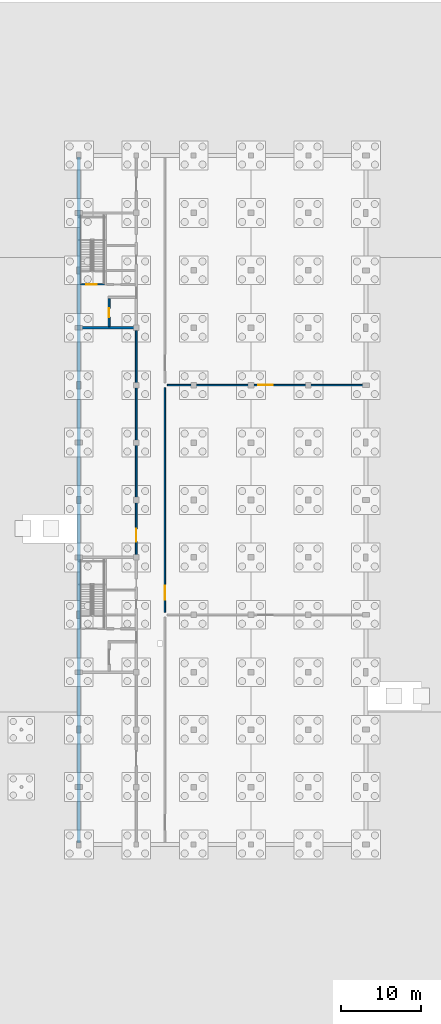
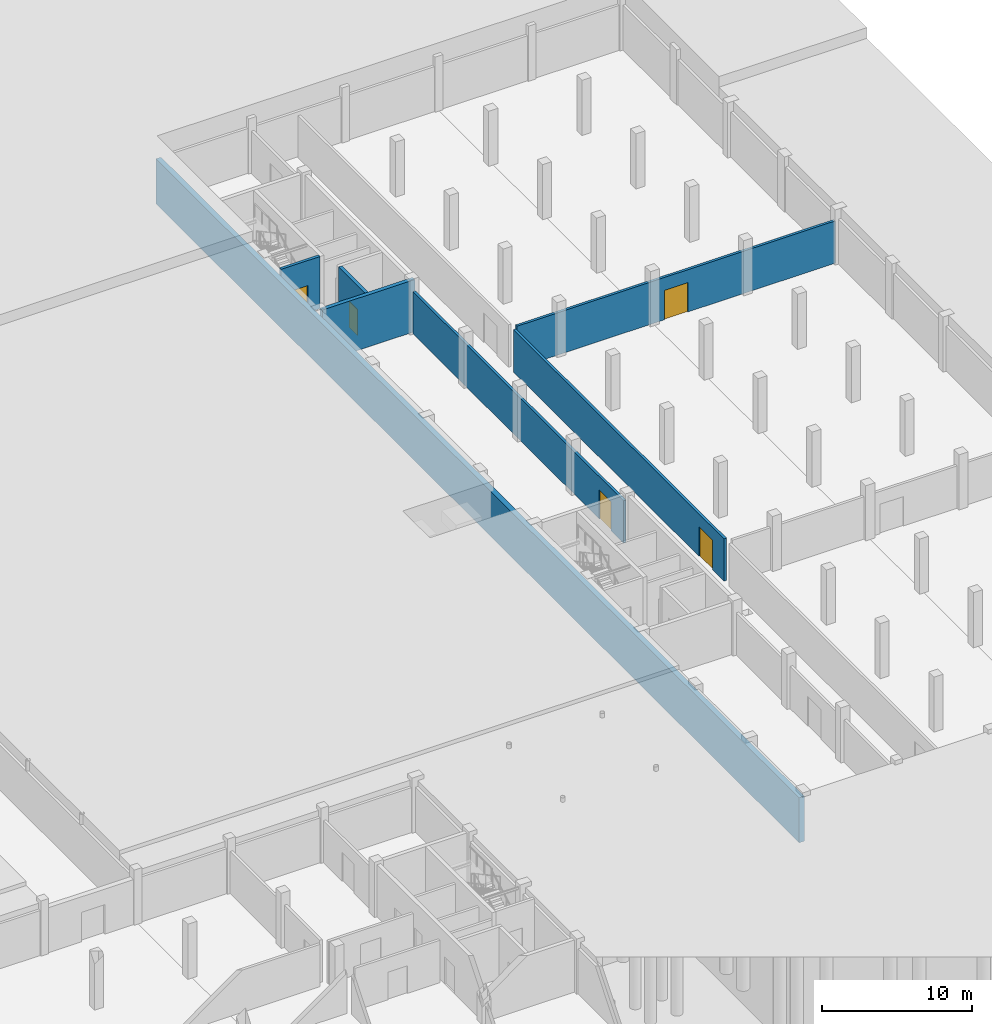
# One storey, part 33 of 51: 7 walls, 5 doors, 5 openings.
"""IFC4 building model written with IfcOpenShell, lengths in metres."""

from ifc_helpers import new_model, si_unit, direction, frame, frame_2d, origin, place, context, subcontext, project, spatial, rectangle, extrude, material, layer, layer_set, type_object, element, fill, save


model = new_model("IFC4")

# Units and contexts
model_context = context("Model", 3, precision=1e-05, world=origin(), true_north=direction((0.0, 1.0)))
body_context = subcontext(model_context, "Body", "Model", "MODEL_VIEW")
ifc_project = project(units=[si_unit("LENGTHUNIT", "METRE"), si_unit("AREAUNIT", "SQUARE_METRE"), si_unit("VOLUMEUNIT", "CUBIC_METRE"), si_unit("PLANEANGLEUNIT", "RADIAN"), si_unit("MASSUNIT", "GRAM", prefix="KILO")], contexts=[model_context])

# Site, building, storey
site_placement = place(None, origin())
site = spatial("IfcSite", under=ifc_project, at=site_placement, CompositionType="ELEMENT")
building_placement = place(site_placement, origin())
building = spatial("IfcBuilding", under=site, at=building_placement, Name="Zlatovets Crest Museum", CompositionType="ELEMENT")
storey_placement = place(building_placement, frame((0.0, 0.0, -4.5)))
storey = spatial("IfcBuildingStorey", under=building, at=storey_placement, Name="B1", CompositionType="ELEMENT", Elevation=-4.5)

# Wall
ifc_material_1 = material(Name="Concrete C35/45", Category="concrete")
ifc_layer_1 = layer(ifc_material_1, 0.300048828125)
ifc_layer_set_1 = layer_set([ifc_layer_1], Name="Concrete C35/45")
wall_type_1 = type_object("IfcWallType", Name="CoreWall_SW01", PredefinedType="SHEAR", material=ifc_layer_set_1)
wall_1_placement = place(storey_placement, frame((129.800048828125, 79.199951171875, 0.0), z_axis=(0.0, 0.0, 1.0), x_axis=(1.0, 0.0, 0.0)))
element("IfcWall", 1, at=wall_1_placement, inside=storey, type_object=wall_type_1, Name="Core C7 B1 South Shear Wall", PredefinedType="SHEAR", context=body_context, shape_type="SweptSolid", body=[
    extrude(rectangle(XDim=7.14990234375, YDim=0.300048828125, at=frame_2d((3.574951171875, 0.0))), origin(), (0.0, 0.0, 1.0), 4.25),
])

# Wall, opening, door
ifc_layer_2 = layer(ifc_material_1, 0.25)
ifc_layer_set_2 = layer_set([ifc_layer_2], Name="Concrete C35/45")
wall_type_2 = type_object("IfcWallType", Name="CoreWall_SW02", PredefinedType="SHEAR", material=ifc_layer_set_2)
wall_2_placement = place(storey_placement, frame((133.39990234375, 79.35009765625, 0.0), z_axis=(0.0, 0.0, 1.0), x_axis=(0.0, 1.0, 0.0)))
wall_2 = element("IfcWall", 2, at=wall_2_placement, inside=storey, type_object=wall_type_2, Name="Core C7 B1 Lift Shaft Wall", PredefinedType="SHEAR", context=body_context, shape_type="SweptSolid", body=[
    extrude(rectangle(XDim=3.52490234375, YDim=0.25, at=frame_2d((1.762451171875, 0.0))), origin(), (0.0, 0.0, 1.0), 4.25),
])
opening_1_placement = place(wall_2_placement, frame((1.199951171875, 0.0, 0.0)))
opening_1 = element("IfcOpeningElement", 3, at=opening_1_placement, cuts=wall_2, Name="Opening LD-01", PredefinedType="OPENING", context=body_context, shape_type="SweptSolid", body=[
    extrude(rectangle(XDim=1.10009765625, YDim=2.14990234375, at=frame_2d((0.550048828125, 1.074951171875))), frame((0.0, 0.135009765625, 0.0), z_axis=(0.0, -1.0, 0.0), x_axis=(1.0, 0.0, 0.0)), (0.0, 0.0, 1.0), 0.27001953125),
])
ifc_material_2 = material(Name="Stainless-bronze sliding lift landing door")
door_type_1 = type_object("IfcDoorType", Name="IntDoor_LD-01", OperationType="SLIDING_TO_LEFT", PredefinedType="DOOR", material=ifc_material_2)
door_1_placement = place(opening_1_placement, origin())
door_1 = element("IfcDoor", 4, at=door_1_placement, inside=storey, type_object=door_type_1, Name="LDOOR-PL4-B1 Lift PL4 B1 Sliding Landing Door", OperationType="SLIDING_TO_LEFT", OverallHeight=2.14990234375, OverallWidth=1.10009765625, PredefinedType="DOOR", context=body_context, shape_type="SweptSolid", body=[
    extrude(rectangle(XDim=1.10009765625, YDim=2.14990234375, at=frame_2d((0.550048828125, 1.074951171875))), frame((0.0, 0.02490234375, 0.0), z_axis=(0.0, -1.0, 0.0), x_axis=(1.0, 0.0, 0.0)), (0.0, 0.0, 1.0), 0.050048828125),
])
fill(opening_1, door_1)

wall_3_placement = place(storey_placement, frame((129.800048828125, 84.64990234375, 0.0), z_axis=(0.0, 0.0, 1.0), x_axis=(1.0, 0.0, 0.0)))
wall_3 = element("IfcWall", 5, at=wall_3_placement, inside=storey, type_object=wall_type_2, Name="Core C7 B1 Stairwell Fire Wall", PredefinedType="SHEAR", context=body_context, shape_type="SweptSolid", body=[
    extrude(rectangle(XDim=3.0, YDim=0.219970703125, at=frame_2d((1.5, 0.0))), origin(), (0.0, 0.0, 1.0), 4.25),
])
opening_2_placement = place(wall_3_placement, frame((0.75, 0.0, 0.0)))
opening_2 = element("IfcOpeningElement", 6, at=opening_2_placement, cuts=wall_3, Name="Opening FD-01", PredefinedType="OPENING", context=body_context, shape_type="SweptSolid", body=[
    extrude(rectangle(XDim=1.300048828125, YDim=2.199951171875, at=frame_2d((0.64990234375, 1.10009765625))), frame((0.0, 0.1201171875, 0.0), z_axis=(0.0, -1.0, 0.0), x_axis=(1.0, 0.0, 0.0)), (0.0, 0.0, 1.0), 0.239990234375),
])
ifc_material_3 = material(Name="Smoke-sealed steel fire door", Category="steel")
door_type_2 = type_object("IfcDoorType", Name="IntDoor_FD-01", OperationType="NOTDEFINED", PredefinedType="DOOR", material=ifc_material_3)
door_2_placement = place(opening_2_placement, origin())
door_2 = element("IfcDoor", 7, at=door_2_placement, inside=storey, type_object=door_type_2, Name="SDOOR-ST8-B1 Stair ST8 B1 Fire Door", OperationType="SINGLE_SWING_LEFT", OverallHeight=2.199951171875, OverallWidth=1.300048828125, PredefinedType="DOOR", context=body_context, shape_type="SweptSolid", body=[
    extrude(rectangle(XDim=1.300048828125, YDim=2.199951171875, at=frame_2d((0.64990234375, 1.10009765625))), frame((0.0, 0.02490234375, 0.0), z_axis=(0.0, -1.0, 0.0), x_axis=(1.0, 0.0, 0.0)), (0.0, 0.0, 1.0), 0.050048828125),
])
fill(opening_2, door_2)

ifc_material_4 = material(Name="Gypsum-encased fire compartment partition")
ifc_layer_3 = layer(ifc_material_4, 0.199951171875)
ifc_layer_set_3 = layer_set([ifc_layer_3], Name="Gypsum-encased fire compartment partition")
wall_type_3 = type_object("IfcWallType", Name="PartWall_PT-01", PredefinedType="PARTITIONING", material=ifc_layer_set_3)
wall_4_placement = place(storey_placement, frame((140.39990234375, 43.52001953125, 0.0), z_axis=(0.0, 0.0, 1.0), x_axis=(0.0, 1.0, 0.0)))
wall_4 = element("IfcWall", 8, at=wall_4_placement, inside=storey, type_object=wall_type_3, Name="V5 B1 Interior Partition PT-01", PredefinedType="PARTITIONING", context=body_context, shape_type="SweptSolid", body=[
    extrude(rectangle(XDim=28.159912109375, YDim=0.199951171875, at=frame_2d((14.080078125, 0.0))), origin(), (0.0, 0.0, 1.0), 3.449951171875),
])
opening_3_placement = place(wall_4_placement, frame((1.548583984375, 0.0, 0.0)))
opening_3 = element("IfcOpeningElement", 9, at=opening_3_placement, cuts=wall_4, Name="Opening FD-04", PredefinedType="OPENING", context=body_context, shape_type="SweptSolid", body=[
    extrude(rectangle(XDim=1.800048828125, YDim=2.39990234375, at=frame_2d((0.89990234375, 1.199951171875))), frame((0.0, 0.10986328125, 0.0), z_axis=(0.0, -1.0, 0.0), x_axis=(1.0, 0.0, 0.0)), (0.0, 0.0, 1.0), 0.219970703125),
])
ifc_material_5 = material(Name="Archive vault heavy fire door")
door_type_3 = type_object("IfcDoorType", Name="IntDoor_FD-04", OperationType="DOUBLE_DOOR_SINGLE_SWING", PredefinedType="DOOR", material=ifc_material_5)
door_3_placement = place(opening_3_placement, origin())
door_3 = element("IfcDoor", 10, at=door_3_placement, inside=storey, type_object=door_type_3, Name="IDOOR-V5-B1-0038 Archive Spine Corridor B1 to Painting and Rack Storage Archive Door", OperationType="DOUBLE_DOOR_SINGLE_SWING", OverallHeight=2.39990234375, OverallWidth=1.800048828125, PredefinedType="DOOR", context=body_context, shape_type="SweptSolid", body=[
    extrude(rectangle(XDim=1.800048828125, YDim=2.39990234375, at=frame_2d((0.89990234375, 1.199951171875))), frame((0.0, 0.02490234375, 0.0), z_axis=(0.0, -1.0, 0.0), x_axis=(1.0, 0.0, 0.0)), (0.0, 0.0, 1.0), 0.050048828125),
])
fill(opening_3, door_3)

wall_5_placement = place(storey_placement, frame((136.800048828125, 50.719970703125, 0.0), z_axis=(0.0, 0.0, 1.0), x_axis=(0.0, 1.0, 0.0)))
wall_5 = element("IfcWall", 11, at=wall_5_placement, inside=storey, type_object=wall_type_3, Name="V5 B1 Interior Partition PT-01", PredefinedType="PARTITIONING", context=body_context, shape_type="SweptSolid", body=[
    extrude(rectangle(XDim=28.159912109375, YDim=0.199951171875, at=frame_2d((14.080078125, 0.0))), origin(), (0.0, 0.0, 1.0), 3.449951171875),
])
opening_4_placement = place(wall_5_placement, frame((1.648681640625, 0.0, 0.0)))
opening_4 = element("IfcOpeningElement", 12, at=opening_4_placement, cuts=wall_5, Name="Opening ID-04", PredefinedType="OPENING", context=body_context, shape_type="SweptSolid", body=[
    extrude(rectangle(XDim=1.60009765625, YDim=2.35009765625, at=frame_2d((0.800048828125, 1.175048828125))), frame((0.0, 0.10986328125, 0.0), z_axis=(0.0, -1.0, 0.0), x_axis=(1.0, 0.0, 0.0)), (0.0, 0.0, 1.0), 0.219970703125),
])
ifc_material_6 = material(Name="Gallery salon double portal door")
door_type_4 = type_object("IfcDoorType", Name="IntDoor_ID-04", OperationType="DOUBLE_DOOR_SINGLE_SWING", PredefinedType="DOOR", material=ifc_material_6)
door_4_placement = place(opening_4_placement, origin())
door_4 = element("IfcDoor", 13, at=door_4_placement, inside=storey, type_object=door_type_4, Name="IDOOR-V5-B1-0040 Archive Spine Corridor B1 to X-Ray and Pigment Analysis Laboratory Door", OperationType="DOUBLE_DOOR_SINGLE_SWING", OverallHeight=2.35009765625, OverallWidth=1.60009765625, PredefinedType="DOOR", context=body_context, shape_type="SweptSolid", body=[
    extrude(rectangle(XDim=1.60009765625, YDim=2.35009765625, at=frame_2d((0.800048828125, 1.175048828125))), frame((0.0, 0.02490234375, 0.0), z_axis=(0.0, -1.0, 0.0), x_axis=(1.0, 0.0, 0.0)), (0.0, 0.0, 1.0), 0.050048828125),
])
fill(opening_4, door_4)

wall_6_placement = place(storey_placement, frame((140.719970703125, 72.0, 0.0), z_axis=(0.0, 0.0, 1.0), x_axis=(1.0, 0.0, 0.0)))
wall_6 = element("IfcWall", 14, at=wall_6_placement, inside=storey, type_object=wall_type_3, Name="V5 B1 Interior Partition PT-01", PredefinedType="PARTITIONING", context=body_context, shape_type="SweptSolid", body=[
    extrude(rectangle(XDim=24.56005859375, YDim=0.199951171875, at=frame_2d((12.280029296875, 0.0))), origin(), (0.0, 0.0, 1.0), 3.449951171875),
])
opening_5_placement = place(wall_6_placement, frame((11.3798828125, 0.0, 0.0)))
opening_5 = element("IfcOpeningElement", 15, at=opening_5_placement, cuts=wall_6, Name="Opening FD-04", PredefinedType="OPENING", context=body_context, shape_type="SweptSolid", body=[
    extrude(rectangle(XDim=1.800048828125, YDim=2.39990234375, at=frame_2d((0.89990234375, 1.199951171875))), frame((0.0, 0.10986328125, 0.0), z_axis=(0.0, -1.0, 0.0), x_axis=(1.0, 0.0, 0.0)), (0.0, 0.0, 1.0), 0.219970703125),
])
door_5_placement = place(opening_5_placement, origin())
door_5 = element("IfcDoor", 16, at=door_5_placement, inside=storey, type_object=door_type_3, Name="IDOOR-V5-B1-0044 Painting and Rack Storage Archive to Cold Photographic Collection Archive Door", OperationType="DOUBLE_DOOR_SINGLE_SWING", OverallHeight=2.39990234375, OverallWidth=1.800048828125, PredefinedType="DOOR", context=body_context, shape_type="SweptSolid", body=[
    extrude(rectangle(XDim=1.800048828125, YDim=2.39990234375, at=frame_2d((0.89990234375, 1.199951171875))), frame((0.0, 0.02490234375, 0.0), z_axis=(0.0, -1.0, 0.0), x_axis=(1.0, 0.0, 0.0)), (0.0, 0.0, 1.0), 0.050048828125),
])
fill(opening_5, door_5)

# Wall
ifc_layer_4 = layer(ifc_material_1, 0.39990234375)
ifc_layer_set_4 = layer_set([ifc_layer_4], Name="Concrete C35/45")
wall_type_4 = type_object("IfcWallType", Name="RetainingWall_RW01", PredefinedType="USERDEFINED", material=ifc_layer_set_4)
wall_7_placement = place(storey_placement, frame((129.60009765625, 100.60009765625, 0.0), z_axis=(0.0, 0.0, 1.0), x_axis=(0.0, -1.0, 0.0)))
element("IfcWall", 17, at=wall_7_placement, inside=storey, type_object=wall_type_4, Name="V5 B1 Retaining Wall W", ObjectType="RETAINING WALL", PredefinedType="USERDEFINED", context=body_context, shape_type="SweptSolid", body=[
    extrude(rectangle(XDim=86.0, YDim=0.39990234375, at=frame_2d((43.0, 0.0))), origin(), (0.0, 0.0, 1.0), 3.669921875),
])

save(model, "model.ifc")
